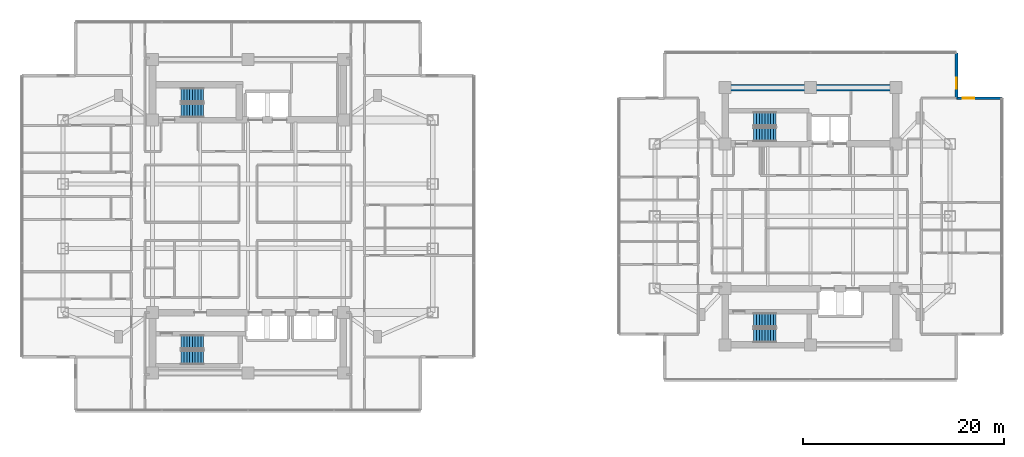
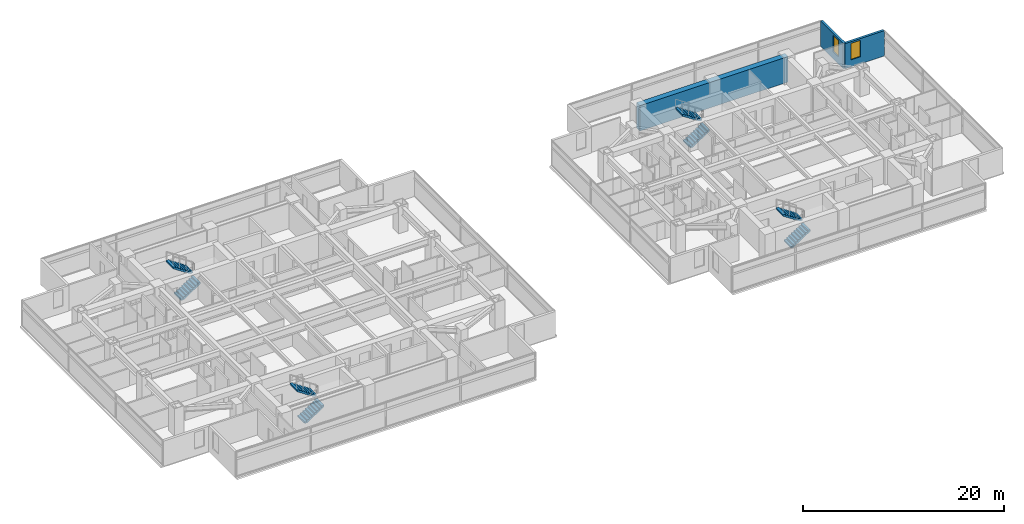
# One storey, part 20 of 26: 8 stair flights, 3 walls, 2 windows, 2 openings, 4 elements without a shape of their own.
"""IFC4 building model written with IfcOpenShell, lengths in metres."""

from ifc_helpers import new_model, si_unit, direction, frame, frame_2d, origin, place, context, subcontext, project, spatial, polyline, rectangle, outline, extrude, material, layer, layer_set, type_object, element, fill, aggregate, save


model = new_model("IFC4")

# Units and contexts
model_context = context("Model", 3, precision=1e-05, world=origin(), true_north=direction((0.0, 1.0)))
body_context = subcontext(model_context, "Body", "Model", "MODEL_VIEW")
ifc_project = project(units=[si_unit("LENGTHUNIT", "METRE"), si_unit("AREAUNIT", "SQUARE_METRE"), si_unit("VOLUMEUNIT", "CUBIC_METRE"), si_unit("PLANEANGLEUNIT", "RADIAN"), si_unit("MASSUNIT", "GRAM", prefix="KILO")], contexts=[model_context])

# Site, building, storey
site_placement = place(None, origin())
site = spatial("IfcSite", under=ifc_project, at=site_placement, CompositionType="ELEMENT")
building_placement = place(site_placement, origin())
building = spatial("IfcBuilding", under=site, at=building_placement, Name="Mirazonda Arch Towers", CompositionType="ELEMENT")
storey_placement = place(building_placement, frame((0.0, 0.0, 114.800048828125)))
storey = spatial("IfcBuildingStorey", under=building, at=storey_placement, Name="L32", CompositionType="ELEMENT", Elevation=114.800048828125)

# Wall
ifc_material_1 = material(Name="Concrete C60/75", Category="concrete")
ifc_layer_1 = layer(ifc_material_1, 0.64990234375, Name="WALL-CORE-650")
ifc_layer_set_1 = layer_set([ifc_layer_1], Name="Concrete C60/75")
wall_type_1 = type_object("IfcWallType", Name="WALL-CORE-650", PredefinedType="SHEAR", material=ifc_layer_set_1)
wall_1_placement = place(storey_placement, frame((68.0, 40.800048828125, 0.0), z_axis=(0.0, 0.0, 1.0), x_axis=(1.0, 0.0, 0.0)))
element("IfcWall", 1, at=wall_1_placement, inside=storey, type_object=wall_type_1, Name="L32 T2N-N Core Shear Wall", PredefinedType="SHEAR", context=body_context, shape_type="SweptSolid", body=[
    extrude(rectangle(XDim=17.0, YDim=0.64990234375, at=frame_2d((8.5, 0.0))), origin(), (0.0, 0.0, 1.0), 3.079833984375),
])

# Wall, opening, window
ifc_material_2 = material(Name="Precast Concrete C40/50", Category="concrete")
ifc_layer_2 = layer(ifc_material_2, 0.280029296875, Name="WALL-EXT-WALL-280")
ifc_layer_set_2 = layer_set([ifc_layer_2], Name="Precast Concrete C40/50")
wall_type_2 = type_object("IfcWallType", Name="WALL-EXT-WALL-280", PredefinedType="SOLIDWALL", material=ifc_layer_set_2)
wall_2_placement = place(storey_placement, frame((91.0302734375, 39.74755859375, 0.0), z_axis=(0.0, 0.0, 1.0), x_axis=(0.0, 1.0, 0.0)))
wall_2 = element("IfcWall", 2, at=wall_2_placement, inside=storey, type_object=wall_type_2, Name="L32 T2 Notched NE Corner Wall WL-L32-T2-CNE", PredefinedType="SOLIDWALL", context=body_context, shape_type="SweptSolid", body=[
    extrude(rectangle(XDim=4.516357421875, YDim=0.280029296875, at=frame_2d((2.25830078125, 0.0))), origin(), (0.0, 0.0, 1.0), 3.06005859375),
])
opening_1_placement = place(wall_2_placement, frame((0.949951171875, 0.0, 0.85009765625)))
opening_1 = element("IfcOpeningElement", 3, at=opening_1_placement, cuts=wall_2, Name="Opening WN-108", PredefinedType="OPENING", context=body_context, shape_type="SweptSolid", body=[
    extrude(rectangle(XDim=1.10009765625, YDim=2.0, at=frame_2d((0.550048828125, 1.0))), frame((0.0, 0.14990234375, 0.0), z_axis=(0.0, -1.0, 0.0), x_axis=(1.0, 0.0, 0.0)), (0.0, 0.0, 1.0), 0.300048828125),
])
ifc_material_3 = material(Name="Insulated Low-E Solar Glass", Category="glass")
window_type = type_object("IfcWindowType", Name="WIN-NOTCH-1100x2000", PartitioningType="SINGLE_PANEL", PredefinedType="WINDOW", material=ifc_material_3)
window_1_placement = place(opening_1_placement, origin())
window_1 = element("IfcWindow", 4, at=window_1_placement, inside=storey, type_object=window_type, Name="L32 Punched Facade Window WN-L32-T2-CNE", OverallHeight=2.0, OverallWidth=1.10009765625, PartitioningType="SINGLE_PANEL", PredefinedType="WINDOW", context=body_context, shape_type="SweptSolid", body=[
    extrude(rectangle(XDim=1.10009765625, YDim=2.0, at=frame_2d((0.550048828125, 1.0))), frame((0.0, 0.030029296875, 0.0), z_axis=(0.0, -1.0, 0.0), x_axis=(1.0, 0.0, 0.0)), (0.0, 0.0, 1.0), 0.06005859375),
])
fill(opening_1, window_1)

wall_3_placement = place(storey_placement, frame((95.54638671875, 39.74755859375, 0.0), z_axis=(0.0, 0.0, 1.0), x_axis=(-1.0, 0.0, 0.0)))
wall_3 = element("IfcWall", 5, at=wall_3_placement, inside=storey, type_object=wall_type_2, Name="L32 T2 Corner Notch Return Wall WL-L32-T2-CNE2", PredefinedType="SOLIDWALL", context=body_context, shape_type="SweptSolid", body=[
    extrude(rectangle(XDim=4.51611328125, YDim=0.280029296875, at=frame_2d((2.258056640625, 0.0))), origin(), (0.0, 0.0, 1.0), 3.06005859375),
])
opening_2_placement = place(wall_3_placement, frame((2.76611328125, 0.0, 0.85009765625)))
opening_2 = element("IfcOpeningElement", 6, at=opening_2_placement, cuts=wall_3, Name="Opening WN-108", PredefinedType="OPENING", context=body_context, shape_type="SweptSolid", body=[
    extrude(rectangle(XDim=1.10009765625, YDim=2.0, at=frame_2d((0.550048828125, 1.0))), frame((0.0, 0.14990234375, 0.0), z_axis=(0.0, -1.0, 0.0), x_axis=(1.0, 0.0, 0.0)), (0.0, 0.0, 1.0), 0.300048828125),
])
window_2_placement = place(opening_2_placement, origin())
window_2 = element("IfcWindow", 7, at=window_2_placement, inside=storey, type_object=window_type, Name="L32 Punched Facade Window WN-L32-T2-CNE2", OverallHeight=2.0, OverallWidth=1.10009765625, PartitioningType="SINGLE_PANEL", PredefinedType="WINDOW", context=body_context, shape_type="SweptSolid", body=[
    extrude(rectangle(XDim=1.10009765625, YDim=2.0, at=frame_2d((0.550048828125, 1.0))), frame((0.0, 0.030029296875, 0.0), z_axis=(0.0, -1.0, 0.0), x_axis=(1.0, 0.0, 0.0)), (0.0, 0.0, 1.0), 0.06005859375),
])
fill(opening_2, window_2)

# Stair, stair flights
ifc_material_4 = material(Name="Concrete C40/50", Category="concrete")
stair_type = type_object("IfcStairType", Name="STAIR-CORE-1400", PredefinedType="HALF_TURN_STAIR", material=ifc_material_4)
stair_1_placement = place(storey_placement, origin())
stair_1 = element("IfcStair", 8, at=stair_1_placement, inside=storey, type_object=stair_type, Name="L32 Protected Exit Stair ST-T1N", PredefinedType="HALF_TURN_STAIR")
stair_flight_type = type_object("IfcStairFlightType", Name="FLIGHT-1400", PredefinedType="STRAIGHT", material=ifc_material_4)
stair_flight_1_placement = place(storey_placement, frame((13.85009765625, 38.52001953125, 0.0), z_axis=(0.0, 0.0, 1.0), x_axis=(1.0, 0.0, 0.0)))
stair_flight_1 = element("IfcStairFlight", 9, at=stair_flight_1_placement, type_object=stair_flight_type, Name="ST-T1N flight 1", NumberOfRisers=9, NumberOfTreads=8, PredefinedType="STRAIGHT", RiserHeight=0.183333333, TreadLength=0.28, context=body_context, shape_type="SweptSolid", body=[
    extrude(outline(polyline([(0.0, 0.0), (0.0, 0.183349609375), (0.280029296875, 0.183349609375), (0.280029296875, 0.36669921875), (0.56005859375, 0.36669921875), (0.56005859375, 0.550048828125), (0.840087890625, 0.550048828125), (0.840087890625, 0.7333984375), (1.1201171875, 0.7333984375), (1.1201171875, 0.916748046875), (1.39990234375, 0.916748046875), (1.39990234375, 1.10009765625), (1.679931640625, 1.10009765625), (1.679931640625, 1.283447265625), (1.9599609375, 1.283447265625), (1.9599609375, 1.466552734375), (2.239990234375, 1.466552734375), (2.239990234375, 1.64990234375), (2.239990234375, 1.275634765625), (0.2919921875, 0.0), (0.0, 0.0)])), frame((0.0, 0.699951171875, 0.0), z_axis=(0.0, -1.0, 0.0), x_axis=(1.0, 0.0, 0.0)), (0.0, 0.0, 1.0), 1.39990234375),
])
stair_flight_2_placement = place(storey_placement, frame((16.090087890625, 40.06005859375, 1.64990234375), z_axis=(0.0, 0.0, 1.0), x_axis=(-1.0, 0.0, 0.0)))
stair_flight_2 = element("IfcStairFlight", 10, at=stair_flight_2_placement, type_object=stair_flight_type, Name="ST-T1N flight 2", NumberOfRisers=9, NumberOfTreads=8, PredefinedType="STRAIGHT", RiserHeight=0.183333333, TreadLength=0.28, context=body_context, shape_type="SweptSolid", body=[
    extrude(outline(polyline([(0.0, 0.0), (0.0, 0.183349609375), (0.280029296875, 0.183349609375), (0.280029296875, 0.36669921875), (0.56005859375, 0.36669921875), (0.56005859375, 0.550048828125), (0.840087890625, 0.550048828125), (0.840087890625, 0.7333984375), (1.1201171875, 0.7333984375), (1.1201171875, 0.916748046875), (1.39990234375, 0.916748046875), (1.39990234375, 1.10009765625), (1.679931640625, 1.10009765625), (1.679931640625, 1.283447265625), (1.9599609375, 1.283447265625), (1.9599609375, 1.466552734375), (2.239990234375, 1.466552734375), (2.239990234375, 1.64990234375), (2.239990234375, 1.275634765625), (0.2919921875, 0.0), (0.0, 0.0)])), frame((0.0, 0.699951171875, 0.0), z_axis=(0.0, -1.0, 0.0), x_axis=(1.0, 0.0, 0.0)), (0.0, 0.0, 1.0), 1.39990234375),
])
aggregate(stair_1, [stair_flight_1, stair_flight_2])

stair_2_placement = place(storey_placement, origin())
stair_2 = element("IfcStair", 11, at=stair_2_placement, inside=storey, type_object=stair_type, Name="L32 Protected Exit Stair ST-T1S", PredefinedType="HALF_TURN_STAIR")
stair_flight_3_placement = place(storey_placement, frame((13.85009765625, 13.949951171875, 0.0), z_axis=(0.0, 0.0, 1.0), x_axis=(1.0, 0.0, 0.0)))
stair_flight_3 = element("IfcStairFlight", 12, at=stair_flight_3_placement, type_object=stair_flight_type, Name="ST-T1S flight 1", NumberOfRisers=9, NumberOfTreads=8, PredefinedType="STRAIGHT", RiserHeight=0.183333333, TreadLength=0.28, context=body_context, shape_type="SweptSolid", body=[
    extrude(outline(polyline([(0.0, 0.0), (0.0, 0.183349609375), (0.280029296875, 0.183349609375), (0.280029296875, 0.36669921875), (0.56005859375, 0.36669921875), (0.56005859375, 0.550048828125), (0.840087890625, 0.550048828125), (0.840087890625, 0.7333984375), (1.1201171875, 0.7333984375), (1.1201171875, 0.916748046875), (1.39990234375, 0.916748046875), (1.39990234375, 1.10009765625), (1.679931640625, 1.10009765625), (1.679931640625, 1.283447265625), (1.9599609375, 1.283447265625), (1.9599609375, 1.466552734375), (2.239990234375, 1.466552734375), (2.239990234375, 1.64990234375), (2.239990234375, 1.275634765625), (0.2919921875, 0.0), (0.0, 0.0)])), frame((0.0, 0.699951171875, 0.0), z_axis=(0.0, -1.0, 0.0), x_axis=(1.0, 0.0, 0.0)), (0.0, 0.0, 1.0), 1.39990234375),
])
stair_flight_4_placement = place(storey_placement, frame((16.090087890625, 15.489990234375, 1.64990234375), z_axis=(0.0, 0.0, 1.0), x_axis=(-1.0, 0.0, 0.0)))
stair_flight_4 = element("IfcStairFlight", 13, at=stair_flight_4_placement, type_object=stair_flight_type, Name="ST-T1S flight 2", NumberOfRisers=9, NumberOfTreads=8, PredefinedType="STRAIGHT", RiserHeight=0.183333333, TreadLength=0.28, context=body_context, shape_type="SweptSolid", body=[
    extrude(outline(polyline([(0.0, 0.0), (0.0, 0.183349609375), (0.280029296875, 0.183349609375), (0.280029296875, 0.36669921875), (0.56005859375, 0.36669921875), (0.56005859375, 0.550048828125), (0.840087890625, 0.550048828125), (0.840087890625, 0.7333984375), (1.1201171875, 0.7333984375), (1.1201171875, 0.916748046875), (1.39990234375, 0.916748046875), (1.39990234375, 1.10009765625), (1.679931640625, 1.10009765625), (1.679931640625, 1.283447265625), (1.9599609375, 1.283447265625), (1.9599609375, 1.466552734375), (2.239990234375, 1.466552734375), (2.239990234375, 1.64990234375), (2.239990234375, 1.275634765625), (0.2919921875, 0.0), (0.0, 0.0)])), frame((0.0, 0.699951171875, 0.0), z_axis=(0.0, -1.0, 0.0), x_axis=(1.0, 0.0, 0.0)), (0.0, 0.0, 1.0), 1.39990234375),
])
aggregate(stair_2, [stair_flight_3, stair_flight_4])

stair_3_placement = place(storey_placement, origin())
stair_3 = element("IfcStair", 14, at=stair_3_placement, inside=storey, type_object=stair_type, Name="L32 Protected Exit Stair ST-T2N", PredefinedType="HALF_TURN_STAIR")
stair_flight_5_placement = place(storey_placement, frame((70.85009765625, 36.1201171875, 0.0), z_axis=(0.0, 0.0, 1.0), x_axis=(1.0, 0.0, 0.0)))
stair_flight_5 = element("IfcStairFlight", 15, at=stair_flight_5_placement, type_object=stair_flight_type, Name="ST-T2N flight 1", NumberOfRisers=9, NumberOfTreads=8, PredefinedType="STRAIGHT", RiserHeight=0.183333333, TreadLength=0.28, context=body_context, shape_type="SweptSolid", body=[
    extrude(outline(polyline([(0.0, 0.0), (0.0, 0.183349609375), (0.280029296875, 0.183349609375), (0.280029296875, 0.36669921875), (0.56005859375, 0.36669921875), (0.56005859375, 0.550048828125), (0.840087890625, 0.550048828125), (0.840087890625, 0.7333984375), (1.1201171875, 0.7333984375), (1.1201171875, 0.916748046875), (1.39990234375, 0.916748046875), (1.39990234375, 1.10009765625), (1.679931640625, 1.10009765625), (1.679931640625, 1.283447265625), (1.9599609375, 1.283447265625), (1.9599609375, 1.466552734375), (2.239990234375, 1.466552734375), (2.239990234375, 1.64990234375), (2.239990234375, 1.275634765625), (0.2919921875, 0.0), (0.0, 0.0)])), frame((0.0, 0.699951171875, 0.0), z_axis=(0.0, -1.0, 0.0), x_axis=(1.0, 0.0, 0.0)), (0.0, 0.0, 1.0), 1.39990234375),
])
stair_flight_6_placement = place(storey_placement, frame((73.090087890625, 37.659912109375, 1.64990234375), z_axis=(0.0, 0.0, 1.0), x_axis=(-1.0, 0.0, 0.0)))
stair_flight_6 = element("IfcStairFlight", 16, at=stair_flight_6_placement, type_object=stair_flight_type, Name="ST-T2N flight 2", NumberOfRisers=9, NumberOfTreads=8, PredefinedType="STRAIGHT", RiserHeight=0.183333333, TreadLength=0.28, context=body_context, shape_type="SweptSolid", body=[
    extrude(outline(polyline([(0.0, 0.0), (0.0, 0.183349609375), (0.280029296875, 0.183349609375), (0.280029296875, 0.36669921875), (0.56005859375, 0.36669921875), (0.56005859375, 0.550048828125), (0.840087890625, 0.550048828125), (0.840087890625, 0.7333984375), (1.1201171875, 0.7333984375), (1.1201171875, 0.916748046875), (1.39990234375, 0.916748046875), (1.39990234375, 1.10009765625), (1.679931640625, 1.10009765625), (1.679931640625, 1.283447265625), (1.9599609375, 1.283447265625), (1.9599609375, 1.466552734375), (2.239990234375, 1.466552734375), (2.239990234375, 1.64990234375), (2.239990234375, 1.275634765625), (0.2919921875, 0.0), (0.0, 0.0)])), frame((0.0, 0.699951171875, 0.0), z_axis=(0.0, -1.0, 0.0), x_axis=(1.0, 0.0, 0.0)), (0.0, 0.0, 1.0), 1.39990234375),
])
aggregate(stair_3, [stair_flight_5, stair_flight_6])

stair_4_placement = place(storey_placement, origin())
stair_4 = element("IfcStair", 17, at=stair_4_placement, inside=storey, type_object=stair_type, Name="L32 Protected Exit Stair ST-T2S", PredefinedType="HALF_TURN_STAIR")
stair_flight_7_placement = place(storey_placement, frame((70.85009765625, 16.1201171875, 0.0), z_axis=(0.0, 0.0, 1.0), x_axis=(1.0, 0.0, 0.0)))
stair_flight_7 = element("IfcStairFlight", 18, at=stair_flight_7_placement, type_object=stair_flight_type, Name="ST-T2S flight 1", NumberOfRisers=9, NumberOfTreads=8, PredefinedType="STRAIGHT", RiserHeight=0.183333333, TreadLength=0.28, context=body_context, shape_type="SweptSolid", body=[
    extrude(outline(polyline([(0.0, 0.0), (0.0, 0.183349609375), (0.280029296875, 0.183349609375), (0.280029296875, 0.36669921875), (0.56005859375, 0.36669921875), (0.56005859375, 0.550048828125), (0.840087890625, 0.550048828125), (0.840087890625, 0.7333984375), (1.1201171875, 0.7333984375), (1.1201171875, 0.916748046875), (1.39990234375, 0.916748046875), (1.39990234375, 1.10009765625), (1.679931640625, 1.10009765625), (1.679931640625, 1.283447265625), (1.9599609375, 1.283447265625), (1.9599609375, 1.466552734375), (2.239990234375, 1.466552734375), (2.239990234375, 1.64990234375), (2.239990234375, 1.275634765625), (0.2919921875, 0.0), (0.0, 0.0)])), frame((0.0, 0.699951171875, 0.0), z_axis=(0.0, -1.0, 0.0), x_axis=(1.0, 0.0, 0.0)), (0.0, 0.0, 1.0), 1.39990234375),
])
stair_flight_8_placement = place(storey_placement, frame((73.090087890625, 17.659912109375, 1.64990234375), z_axis=(0.0, 0.0, 1.0), x_axis=(-1.0, 0.0, 0.0)))
stair_flight_8 = element("IfcStairFlight", 19, at=stair_flight_8_placement, type_object=stair_flight_type, Name="ST-T2S flight 2", NumberOfRisers=9, NumberOfTreads=8, PredefinedType="STRAIGHT", RiserHeight=0.183333333, TreadLength=0.28, context=body_context, shape_type="SweptSolid", body=[
    extrude(outline(polyline([(0.0, 0.0), (0.0, 0.183349609375), (0.280029296875, 0.183349609375), (0.280029296875, 0.36669921875), (0.56005859375, 0.36669921875), (0.56005859375, 0.550048828125), (0.840087890625, 0.550048828125), (0.840087890625, 0.7333984375), (1.1201171875, 0.7333984375), (1.1201171875, 0.916748046875), (1.39990234375, 0.916748046875), (1.39990234375, 1.10009765625), (1.679931640625, 1.10009765625), (1.679931640625, 1.283447265625), (1.9599609375, 1.283447265625), (1.9599609375, 1.466552734375), (2.239990234375, 1.466552734375), (2.239990234375, 1.64990234375), (2.239990234375, 1.275634765625), (0.2919921875, 0.0), (0.0, 0.0)])), frame((0.0, 0.699951171875, 0.0), z_axis=(0.0, -1.0, 0.0), x_axis=(1.0, 0.0, 0.0)), (0.0, 0.0, 1.0), 1.39990234375),
])
aggregate(stair_4, [stair_flight_7, stair_flight_8])

save(model, "model.ifc")
